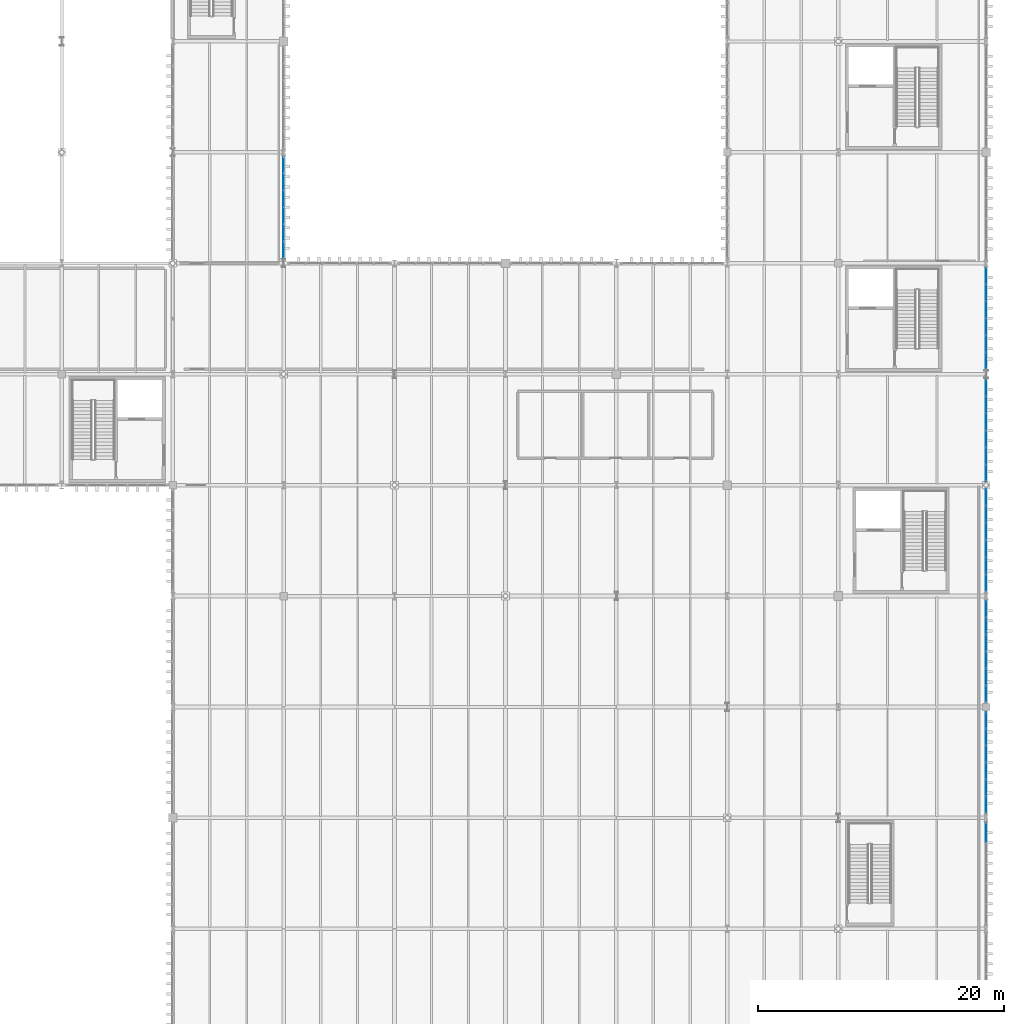
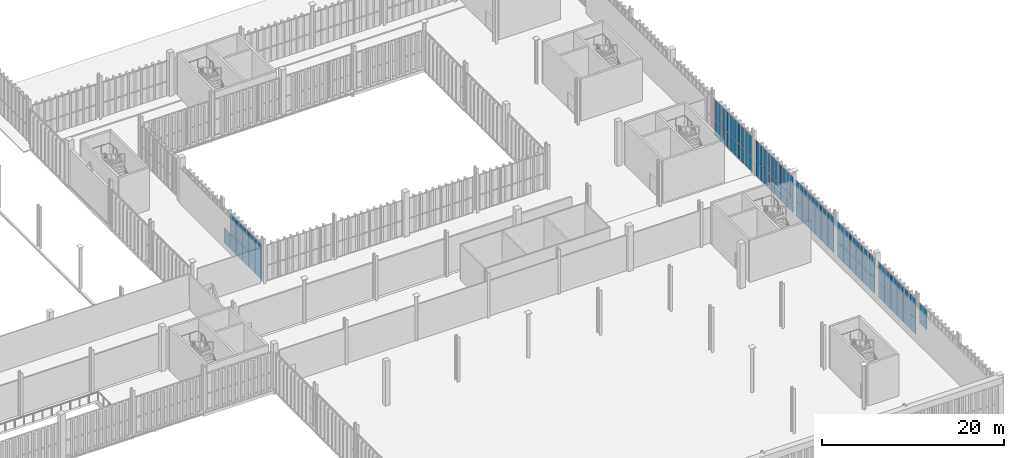
# One storey, part 191 of 237: 72 plates, 7 elements without a shape of their own.
"""IFC4 building model written with IfcOpenShell, lengths in metres."""

from ifc_helpers import new_model, si_unit, direction, frame, origin, origin_2d, place, context, subcontext, project, spatial, rectangle, extrude, material, layer, layer_set, type_object, element, aggregate, save


model = new_model("IFC4")

# Units and contexts
model_context = context("Model", 3, precision=1e-05, world=origin(), true_north=direction((0.0, 1.0)))
body_context = subcontext(model_context, "Body", "Model", "MODEL_VIEW")
ifc_project = project(units=[si_unit("LENGTHUNIT", "METRE"), si_unit("AREAUNIT", "SQUARE_METRE"), si_unit("VOLUMEUNIT", "CUBIC_METRE"), si_unit("PLANEANGLEUNIT", "RADIAN"), si_unit("MASSUNIT", "GRAM", prefix="KILO")], contexts=[model_context])

# Site, building, storey
site_placement = place(None, origin())
site = spatial("IfcSite", under=ifc_project, at=site_placement, CompositionType="ELEMENT")
building_placement = place(site_placement, origin())
building = spatial("IfcBuilding", under=site, at=building_placement, Name="Barlavento Convention Centre", CompositionType="ELEMENT")
storey_placement = place(building_placement, frame((0.0, 0.0, 12.0)))
storey = spatial("IfcBuildingStorey", under=building, at=storey_placement, Name="L02", CompositionType="ELEMENT", Elevation=12.0)

# Curtain wall, plate
ifc_material_1 = material(Name="Powder-coated aluminium and Low-E glass", Category="aluminium")
ifc_layer_1 = layer(ifc_material_1, 0.195068359375)
ifc_layer_set_1 = layer_set([ifc_layer_1], Name="ARC-CW-BALL-L02")
curtain_wall_type_1 = type_object("IfcCurtainWallType", Name="ARC-CW-BALL-L02", PredefinedType="NOTDEFINED", material=ifc_layer_set_1)
curtain_wall_1_placement = place(storey_placement, origin())
curtain_wall_1 = element("IfcCurtainWall", 1, at=curtain_wall_1_placement, inside=storey, type_object=curtain_wall_type_1, Name="L02 unitised curtain wall CW07", PredefinedType="NOTDEFINED")
ifc_material_2 = material(Name="Double-silver Low-E insulated glass", Category="glass")
ifc_layer_2 = layer(ifc_material_2, 0.028076171875)
ifc_layer_set_2 = layer_set([ifc_layer_2], Name="ARC-CWP-GLZ28")
plate_type = type_object("IfcPlateType", Name="ARC-CWP-GLZ28", PredefinedType="CURTAIN_PANEL", material=ifc_layer_set_2)
plate_1_placement = place(storey_placement, frame((192.0, 16.7900390625, 2.1298828125), z_axis=(0.0, 0.0, 1.0), x_axis=(0.0, 1.0, 0.0)))
plate_1 = element("IfcPlate", 2, at=plate_1_placement, type_object=plate_type, Name="CW07 panel 5.2", PredefinedType="CURTAIN_PANEL", context=body_context, shape_type="SweptSolid", body=[
    extrude(rectangle(XDim=1.56005859375, YDim=0.028076171875, at=origin_2d()), origin(), (0.0, 0.0, 1.0), 2.659912109375),
])
aggregate(curtain_wall_1, [plate_1])

# Curtain wall, plates
curtain_wall_2_placement = place(storey_placement, origin())
curtain_wall_2 = element("IfcCurtainWall", 3, at=curtain_wall_2_placement, inside=storey, type_object=curtain_wall_type_1, Name="L02 unitised curtain wall CW07", PredefinedType="NOTDEFINED")
plate_2_placement = place(storey_placement, frame((192.0, 19.0732421875, 0.06005859375), z_axis=(0.0, 0.0, 1.0), x_axis=(0.0, 1.0, 0.0)))
plate_2 = element("IfcPlate", 4, at=plate_2_placement, type_object=plate_type, Name="CW07 panel 1.1", PredefinedType="CURTAIN_PANEL", context=body_context, shape_type="SweptSolid", body=[
    extrude(rectangle(XDim=1.28662109375, YDim=0.028076171875, at=origin_2d()), origin(), (0.0, 0.0, 1.0), 2.010009765625),
])
plate_3_placement = place(storey_placement, frame((192.0, 19.0732421875, 2.1298828125), z_axis=(0.0, 0.0, 1.0), x_axis=(0.0, 1.0, 0.0)))
plate_3 = element("IfcPlate", 5, at=plate_3_placement, type_object=plate_type, Name="CW07 panel 1.2", PredefinedType="CURTAIN_PANEL", context=body_context, shape_type="SweptSolid", body=[
    extrude(rectangle(XDim=1.28662109375, YDim=0.028076171875, at=origin_2d()), origin(), (0.0, 0.0, 1.0), 2.659912109375),
])
plate_4_placement = place(storey_placement, frame((192.0, 20.43505859375, 0.06005859375), z_axis=(0.0, 0.0, 1.0), x_axis=(0.0, 1.0, 0.0)))
plate_4 = element("IfcPlate", 6, at=plate_4_placement, type_object=plate_type, Name="CW07 panel 2.1", PredefinedType="CURTAIN_PANEL", context=body_context, shape_type="SweptSolid", body=[
    extrude(rectangle(XDim=1.316650390625, YDim=0.028076171875, at=origin_2d()), origin(), (0.0, 0.0, 1.0), 2.010009765625),
])
plate_5_placement = place(storey_placement, frame((192.0, 20.43505859375, 2.1298828125), z_axis=(0.0, 0.0, 1.0), x_axis=(0.0, 1.0, 0.0)))
plate_5 = element("IfcPlate", 7, at=plate_5_placement, type_object=plate_type, Name="CW07 panel 2.2", PredefinedType="CURTAIN_PANEL", context=body_context, shape_type="SweptSolid", body=[
    extrude(rectangle(XDim=1.316650390625, YDim=0.028076171875, at=origin_2d()), origin(), (0.0, 0.0, 1.0), 2.659912109375),
])
plate_6_placement = place(storey_placement, frame((192.0, 21.811767578125, 0.06005859375), z_axis=(0.0, 0.0, 1.0), x_axis=(0.0, 1.0, 0.0)))
plate_6 = element("IfcPlate", 8, at=plate_6_placement, type_object=plate_type, Name="CW07 panel 3.1", PredefinedType="CURTAIN_PANEL", context=body_context, shape_type="SweptSolid", body=[
    extrude(rectangle(XDim=1.316650390625, YDim=0.028076171875, at=origin_2d()), origin(), (0.0, 0.0, 1.0), 2.010009765625),
])
plate_7_placement = place(storey_placement, frame((192.0, 21.811767578125, 2.1298828125), z_axis=(0.0, 0.0, 1.0), x_axis=(0.0, 1.0, 0.0)))
plate_7 = element("IfcPlate", 9, at=plate_7_placement, type_object=plate_type, Name="CW07 panel 3.2", PredefinedType="CURTAIN_PANEL", context=body_context, shape_type="SweptSolid", body=[
    extrude(rectangle(XDim=1.316650390625, YDim=0.028076171875, at=origin_2d()), origin(), (0.0, 0.0, 1.0), 2.659912109375),
])
plate_8_placement = place(storey_placement, frame((192.0, 23.188232421875, 0.06005859375), z_axis=(0.0, 0.0, 1.0), x_axis=(0.0, 1.0, 0.0)))
plate_8 = element("IfcPlate", 10, at=plate_8_placement, type_object=plate_type, Name="CW07 panel 4.1", PredefinedType="CURTAIN_PANEL", context=body_context, shape_type="SweptSolid", body=[
    extrude(rectangle(XDim=1.316650390625, YDim=0.028076171875, at=origin_2d()), origin(), (0.0, 0.0, 1.0), 2.010009765625),
])
plate_9_placement = place(storey_placement, frame((192.0, 23.188232421875, 2.1298828125), z_axis=(0.0, 0.0, 1.0), x_axis=(0.0, 1.0, 0.0)))
plate_9 = element("IfcPlate", 11, at=plate_9_placement, type_object=plate_type, Name="CW07 panel 4.2", PredefinedType="CURTAIN_PANEL", context=body_context, shape_type="SweptSolid", body=[
    extrude(rectangle(XDim=1.316650390625, YDim=0.028076171875, at=origin_2d()), origin(), (0.0, 0.0, 1.0), 2.659912109375),
])
plate_10_placement = place(storey_placement, frame((192.0, 24.56494140625, 0.06005859375), z_axis=(0.0, 0.0, 1.0), x_axis=(0.0, 1.0, 0.0)))
plate_10 = element("IfcPlate", 12, at=plate_10_placement, type_object=plate_type, Name="CW07 panel 5.1", PredefinedType="CURTAIN_PANEL", context=body_context, shape_type="SweptSolid", body=[
    extrude(rectangle(XDim=1.316650390625, YDim=0.028076171875, at=origin_2d()), origin(), (0.0, 0.0, 1.0), 2.010009765625),
])
plate_11_placement = place(storey_placement, frame((192.0, 24.56494140625, 2.1298828125), z_axis=(0.0, 0.0, 1.0), x_axis=(0.0, 1.0, 0.0)))
plate_11 = element("IfcPlate", 13, at=plate_11_placement, type_object=plate_type, Name="CW07 panel 5.2", PredefinedType="CURTAIN_PANEL", context=body_context, shape_type="SweptSolid", body=[
    extrude(rectangle(XDim=1.316650390625, YDim=0.028076171875, at=origin_2d()), origin(), (0.0, 0.0, 1.0), 2.659912109375),
])
plate_12_placement = place(storey_placement, frame((192.0, 25.9267578125, 0.06005859375), z_axis=(0.0, 0.0, 1.0), x_axis=(0.0, 1.0, 0.0)))
plate_12 = element("IfcPlate", 14, at=plate_12_placement, type_object=plate_type, Name="CW07 panel 6.1", PredefinedType="CURTAIN_PANEL", context=body_context, shape_type="SweptSolid", body=[
    extrude(rectangle(XDim=1.28662109375, YDim=0.028076171875, at=origin_2d()), origin(), (0.0, 0.0, 1.0), 2.010009765625),
])
plate_13_placement = place(storey_placement, frame((192.0, 25.9267578125, 2.1298828125), z_axis=(0.0, 0.0, 1.0), x_axis=(0.0, 1.0, 0.0)))
plate_13 = element("IfcPlate", 15, at=plate_13_placement, type_object=plate_type, Name="CW07 panel 6.2", PredefinedType="CURTAIN_PANEL", context=body_context, shape_type="SweptSolid", body=[
    extrude(rectangle(XDim=1.28662109375, YDim=0.028076171875, at=origin_2d()), origin(), (0.0, 0.0, 1.0), 2.659912109375),
])
aggregate(curtain_wall_2, [plate_2, plate_3, plate_4, plate_5, plate_6, plate_7, plate_8, plate_9, plate_10, plate_11, plate_12, plate_13])

curtain_wall_3_placement = place(storey_placement, origin())
curtain_wall_3 = element("IfcCurtainWall", 16, at=curtain_wall_3_placement, inside=storey, type_object=curtain_wall_type_1, Name="L02 unitised curtain wall CW07", PredefinedType="NOTDEFINED")
plate_14_placement = place(storey_placement, frame((192.0, 28.074462890625, 0.06005859375), z_axis=(0.0, 0.0, 1.0), x_axis=(0.0, 1.0, 0.0)))
plate_14 = element("IfcPlate", 17, at=plate_14_placement, type_object=plate_type, Name="CW07 panel 1.1", PredefinedType="CURTAIN_PANEL", context=body_context, shape_type="SweptSolid", body=[
    extrude(rectangle(XDim=1.2890625, YDim=0.028076171875, at=origin_2d()), origin(), (0.0, 0.0, 1.0), 2.010009765625),
])
plate_15_placement = place(storey_placement, frame((192.0, 28.074462890625, 2.1298828125), z_axis=(0.0, 0.0, 1.0), x_axis=(0.0, 1.0, 0.0)))
plate_15 = element("IfcPlate", 18, at=plate_15_placement, type_object=plate_type, Name="CW07 panel 1.2", PredefinedType="CURTAIN_PANEL", context=body_context, shape_type="SweptSolid", body=[
    extrude(rectangle(XDim=1.2890625, YDim=0.028076171875, at=origin_2d()), origin(), (0.0, 0.0, 1.0), 2.659912109375),
])
plate_16_placement = place(storey_placement, frame((192.0, 29.4384765625, 0.06005859375), z_axis=(0.0, 0.0, 1.0), x_axis=(0.0, 1.0, 0.0)))
plate_16 = element("IfcPlate", 19, at=plate_16_placement, type_object=plate_type, Name="CW07 panel 2.1", PredefinedType="CURTAIN_PANEL", context=body_context, shape_type="SweptSolid", body=[
    extrude(rectangle(XDim=1.319091796875, YDim=0.028076171875, at=origin_2d()), origin(), (0.0, 0.0, 1.0), 2.010009765625),
])
plate_17_placement = place(storey_placement, frame((192.0, 29.4384765625, 2.1298828125), z_axis=(0.0, 0.0, 1.0), x_axis=(0.0, 1.0, 0.0)))
plate_17 = element("IfcPlate", 20, at=plate_17_placement, type_object=plate_type, Name="CW07 panel 2.2", PredefinedType="CURTAIN_PANEL", context=body_context, shape_type="SweptSolid", body=[
    extrude(rectangle(XDim=1.319091796875, YDim=0.028076171875, at=origin_2d()), origin(), (0.0, 0.0, 1.0), 2.659912109375),
])
plate_18_placement = place(storey_placement, frame((192.0, 30.8173828125, 0.06005859375), z_axis=(0.0, 0.0, 1.0), x_axis=(0.0, 1.0, 0.0)))
plate_18 = element("IfcPlate", 21, at=plate_18_placement, type_object=plate_type, Name="CW07 panel 3.1", PredefinedType="CURTAIN_PANEL", context=body_context, shape_type="SweptSolid", body=[
    extrude(rectangle(XDim=1.319091796875, YDim=0.028076171875, at=origin_2d()), origin(), (0.0, 0.0, 1.0), 2.010009765625),
])
plate_19_placement = place(storey_placement, frame((192.0, 30.8173828125, 2.1298828125), z_axis=(0.0, 0.0, 1.0), x_axis=(0.0, 1.0, 0.0)))
plate_19 = element("IfcPlate", 22, at=plate_19_placement, type_object=plate_type, Name="CW07 panel 3.2", PredefinedType="CURTAIN_PANEL", context=body_context, shape_type="SweptSolid", body=[
    extrude(rectangle(XDim=1.319091796875, YDim=0.028076171875, at=origin_2d()), origin(), (0.0, 0.0, 1.0), 2.659912109375),
])
plate_20_placement = place(storey_placement, frame((192.0, 32.196533203125, 0.06005859375), z_axis=(0.0, 0.0, 1.0), x_axis=(0.0, 1.0, 0.0)))
plate_20 = element("IfcPlate", 23, at=plate_20_placement, type_object=plate_type, Name="CW07 panel 4.1", PredefinedType="CURTAIN_PANEL", context=body_context, shape_type="SweptSolid", body=[
    extrude(rectangle(XDim=1.319091796875, YDim=0.028076171875, at=origin_2d()), origin(), (0.0, 0.0, 1.0), 2.010009765625),
])
plate_21_placement = place(storey_placement, frame((192.0, 32.196533203125, 2.1298828125), z_axis=(0.0, 0.0, 1.0), x_axis=(0.0, 1.0, 0.0)))
plate_21 = element("IfcPlate", 24, at=plate_21_placement, type_object=plate_type, Name="CW07 panel 4.2", PredefinedType="CURTAIN_PANEL", context=body_context, shape_type="SweptSolid", body=[
    extrude(rectangle(XDim=1.319091796875, YDim=0.028076171875, at=origin_2d()), origin(), (0.0, 0.0, 1.0), 2.659912109375),
])
plate_22_placement = place(storey_placement, frame((192.0, 33.575439453125, 0.06005859375), z_axis=(0.0, 0.0, 1.0), x_axis=(0.0, 1.0, 0.0)))
plate_22 = element("IfcPlate", 25, at=plate_22_placement, type_object=plate_type, Name="CW07 panel 5.1", PredefinedType="CURTAIN_PANEL", context=body_context, shape_type="SweptSolid", body=[
    extrude(rectangle(XDim=1.319091796875, YDim=0.028076171875, at=origin_2d()), origin(), (0.0, 0.0, 1.0), 2.010009765625),
])
plate_23_placement = place(storey_placement, frame((192.0, 33.575439453125, 2.1298828125), z_axis=(0.0, 0.0, 1.0), x_axis=(0.0, 1.0, 0.0)))
plate_23 = element("IfcPlate", 26, at=plate_23_placement, type_object=plate_type, Name="CW07 panel 5.2", PredefinedType="CURTAIN_PANEL", context=body_context, shape_type="SweptSolid", body=[
    extrude(rectangle(XDim=1.319091796875, YDim=0.028076171875, at=origin_2d()), origin(), (0.0, 0.0, 1.0), 2.659912109375),
])
plate_24_placement = place(storey_placement, frame((192.0, 34.939453125, 0.06005859375), z_axis=(0.0, 0.0, 1.0), x_axis=(0.0, 1.0, 0.0)))
plate_24 = element("IfcPlate", 27, at=plate_24_placement, type_object=plate_type, Name="CW07 panel 6.1", PredefinedType="CURTAIN_PANEL", context=body_context, shape_type="SweptSolid", body=[
    extrude(rectangle(XDim=1.2890625, YDim=0.028076171875, at=origin_2d()), origin(), (0.0, 0.0, 1.0), 2.010009765625),
])
plate_25_placement = place(storey_placement, frame((192.0, 34.939453125, 2.1298828125), z_axis=(0.0, 0.0, 1.0), x_axis=(0.0, 1.0, 0.0)))
plate_25 = element("IfcPlate", 28, at=plate_25_placement, type_object=plate_type, Name="CW07 panel 6.2", PredefinedType="CURTAIN_PANEL", context=body_context, shape_type="SweptSolid", body=[
    extrude(rectangle(XDim=1.2890625, YDim=0.028076171875, at=origin_2d()), origin(), (0.0, 0.0, 1.0), 2.659912109375),
])
aggregate(curtain_wall_3, [plate_14, plate_15, plate_16, plate_17, plate_18, plate_19, plate_20, plate_21, plate_22, plate_23, plate_24, plate_25])

curtain_wall_4_placement = place(storey_placement, origin())
curtain_wall_4 = element("IfcCurtainWall", 29, at=curtain_wall_4_placement, inside=storey, type_object=curtain_wall_type_1, Name="L02 unitised curtain wall CW07", PredefinedType="NOTDEFINED")
plate_26_placement = place(storey_placement, frame((192.0, 37.068603515625, 0.06005859375), z_axis=(0.0, 0.0, 1.0), x_axis=(0.0, 1.0, 0.0)))
plate_26 = element("IfcPlate", 30, at=plate_26_placement, type_object=plate_type, Name="CW07 panel 1.1", PredefinedType="CURTAIN_PANEL", context=body_context, shape_type="SweptSolid", body=[
    extrude(rectangle(XDim=1.30517578125, YDim=0.028076171875, at=origin_2d()), origin(), (0.0, 0.0, 1.0), 2.010009765625),
])
plate_27_placement = place(storey_placement, frame((192.0, 37.068603515625, 2.1298828125), z_axis=(0.0, 0.0, 1.0), x_axis=(0.0, 1.0, 0.0)))
plate_27 = element("IfcPlate", 31, at=plate_27_placement, type_object=plate_type, Name="CW07 panel 1.2", PredefinedType="CURTAIN_PANEL", context=body_context, shape_type="SweptSolid", body=[
    extrude(rectangle(XDim=1.30517578125, YDim=0.028076171875, at=origin_2d()), origin(), (0.0, 0.0, 1.0), 2.659912109375),
])
plate_28_placement = place(storey_placement, frame((192.0, 38.44873046875, 0.06005859375), z_axis=(0.0, 0.0, 1.0), x_axis=(0.0, 1.0, 0.0)))
plate_28 = element("IfcPlate", 32, at=plate_28_placement, type_object=plate_type, Name="CW07 panel 2.1", PredefinedType="CURTAIN_PANEL", context=body_context, shape_type="SweptSolid", body=[
    extrude(rectangle(XDim=1.335205078125, YDim=0.028076171875, at=origin_2d()), origin(), (0.0, 0.0, 1.0), 2.010009765625),
])
plate_29_placement = place(storey_placement, frame((192.0, 38.44873046875, 2.1298828125), z_axis=(0.0, 0.0, 1.0), x_axis=(0.0, 1.0, 0.0)))
plate_29 = element("IfcPlate", 33, at=plate_29_placement, type_object=plate_type, Name="CW07 panel 2.2", PredefinedType="CURTAIN_PANEL", context=body_context, shape_type="SweptSolid", body=[
    extrude(rectangle(XDim=1.335205078125, YDim=0.028076171875, at=origin_2d()), origin(), (0.0, 0.0, 1.0), 2.659912109375),
])
plate_30_placement = place(storey_placement, frame((192.0, 39.84375, 0.06005859375), z_axis=(0.0, 0.0, 1.0), x_axis=(0.0, 1.0, 0.0)))
plate_30 = element("IfcPlate", 34, at=plate_30_placement, type_object=plate_type, Name="CW07 panel 3.1", PredefinedType="CURTAIN_PANEL", context=body_context, shape_type="SweptSolid", body=[
    extrude(rectangle(XDim=1.335205078125, YDim=0.028076171875, at=origin_2d()), origin(), (0.0, 0.0, 1.0), 2.010009765625),
])
plate_31_placement = place(storey_placement, frame((192.0, 39.84375, 2.1298828125), z_axis=(0.0, 0.0, 1.0), x_axis=(0.0, 1.0, 0.0)))
plate_31 = element("IfcPlate", 35, at=plate_31_placement, type_object=plate_type, Name="CW07 panel 3.2", PredefinedType="CURTAIN_PANEL", context=body_context, shape_type="SweptSolid", body=[
    extrude(rectangle(XDim=1.335205078125, YDim=0.028076171875, at=origin_2d()), origin(), (0.0, 0.0, 1.0), 2.659912109375),
])
plate_32_placement = place(storey_placement, frame((192.0, 41.239013671875, 0.06005859375), z_axis=(0.0, 0.0, 1.0), x_axis=(0.0, 1.0, 0.0)))
plate_32 = element("IfcPlate", 36, at=plate_32_placement, type_object=plate_type, Name="CW07 panel 4.1", PredefinedType="CURTAIN_PANEL", context=body_context, shape_type="SweptSolid", body=[
    extrude(rectangle(XDim=1.335205078125, YDim=0.028076171875, at=origin_2d()), origin(), (0.0, 0.0, 1.0), 2.010009765625),
])
plate_33_placement = place(storey_placement, frame((192.0, 41.239013671875, 2.1298828125), z_axis=(0.0, 0.0, 1.0), x_axis=(0.0, 1.0, 0.0)))
plate_33 = element("IfcPlate", 37, at=plate_33_placement, type_object=plate_type, Name="CW07 panel 4.2", PredefinedType="CURTAIN_PANEL", context=body_context, shape_type="SweptSolid", body=[
    extrude(rectangle(XDim=1.335205078125, YDim=0.028076171875, at=origin_2d()), origin(), (0.0, 0.0, 1.0), 2.659912109375),
])
plate_34_placement = place(storey_placement, frame((192.0, 42.634033203125, 0.06005859375), z_axis=(0.0, 0.0, 1.0), x_axis=(0.0, 1.0, 0.0)))
plate_34 = element("IfcPlate", 38, at=plate_34_placement, type_object=plate_type, Name="CW07 panel 5.1", PredefinedType="CURTAIN_PANEL", context=body_context, shape_type="SweptSolid", body=[
    extrude(rectangle(XDim=1.335205078125, YDim=0.028076171875, at=origin_2d()), origin(), (0.0, 0.0, 1.0), 2.010009765625),
])
plate_35_placement = place(storey_placement, frame((192.0, 42.634033203125, 2.1298828125), z_axis=(0.0, 0.0, 1.0), x_axis=(0.0, 1.0, 0.0)))
plate_35 = element("IfcPlate", 39, at=plate_35_placement, type_object=plate_type, Name="CW07 panel 5.2", PredefinedType="CURTAIN_PANEL", context=body_context, shape_type="SweptSolid", body=[
    extrude(rectangle(XDim=1.335205078125, YDim=0.028076171875, at=origin_2d()), origin(), (0.0, 0.0, 1.0), 2.659912109375),
])
plate_36_placement = place(storey_placement, frame((192.0, 44.01416015625, 0.06005859375), z_axis=(0.0, 0.0, 1.0), x_axis=(0.0, 1.0, 0.0)))
plate_36 = element("IfcPlate", 40, at=plate_36_placement, type_object=plate_type, Name="CW07 panel 6.1", PredefinedType="CURTAIN_PANEL", context=body_context, shape_type="SweptSolid", body=[
    extrude(rectangle(XDim=1.30517578125, YDim=0.028076171875, at=origin_2d()), origin(), (0.0, 0.0, 1.0), 2.010009765625),
])
plate_37_placement = place(storey_placement, frame((192.0, 44.01416015625, 2.1298828125), z_axis=(0.0, 0.0, 1.0), x_axis=(0.0, 1.0, 0.0)))
plate_37 = element("IfcPlate", 41, at=plate_37_placement, type_object=plate_type, Name="CW07 panel 6.2", PredefinedType="CURTAIN_PANEL", context=body_context, shape_type="SweptSolid", body=[
    extrude(rectangle(XDim=1.30517578125, YDim=0.028076171875, at=origin_2d()), origin(), (0.0, 0.0, 1.0), 2.659912109375),
])
aggregate(curtain_wall_4, [plate_26, plate_27, plate_28, plate_29, plate_30, plate_31, plate_32, plate_33, plate_34, plate_35, plate_36, plate_37])

curtain_wall_5_placement = place(storey_placement, origin())
curtain_wall_5 = element("IfcCurtainWall", 42, at=curtain_wall_5_placement, inside=storey, type_object=curtain_wall_type_1, Name="L02 unitised curtain wall CW07", PredefinedType="NOTDEFINED")
plate_38_placement = place(storey_placement, frame((192.0, 45.981689453125, 0.06005859375), z_axis=(0.0, 0.0, 1.0), x_axis=(0.0, 1.0, 0.0)))
plate_38 = element("IfcPlate", 43, at=plate_38_placement, type_object=plate_type, Name="CW07 panel 1.1", PredefinedType="CURTAIN_PANEL", context=body_context, shape_type="SweptSolid", body=[
    extrude(rectangle(XDim=1.297119140625, YDim=0.028076171875, at=origin_2d()), origin(), (0.0, 0.0, 1.0), 2.010009765625),
])
plate_39_placement = place(storey_placement, frame((192.0, 45.981689453125, 2.1298828125), z_axis=(0.0, 0.0, 1.0), x_axis=(0.0, 1.0, 0.0)))
plate_39 = element("IfcPlate", 44, at=plate_39_placement, type_object=plate_type, Name="CW07 panel 1.2", PredefinedType="CURTAIN_PANEL", context=body_context, shape_type="SweptSolid", body=[
    extrude(rectangle(XDim=1.297119140625, YDim=0.028076171875, at=origin_2d()), origin(), (0.0, 0.0, 1.0), 2.659912109375),
])
plate_40_placement = place(storey_placement, frame((192.0, 47.35400390625, 0.06005859375), z_axis=(0.0, 0.0, 1.0), x_axis=(0.0, 1.0, 0.0)))
plate_40 = element("IfcPlate", 45, at=plate_40_placement, type_object=plate_type, Name="CW07 panel 2.1", PredefinedType="CURTAIN_PANEL", context=body_context, shape_type="SweptSolid", body=[
    extrude(rectangle(XDim=1.3271484375, YDim=0.028076171875, at=origin_2d()), origin(), (0.0, 0.0, 1.0), 2.010009765625),
])
plate_41_placement = place(storey_placement, frame((192.0, 47.35400390625, 2.1298828125), z_axis=(0.0, 0.0, 1.0), x_axis=(0.0, 1.0, 0.0)))
plate_41 = element("IfcPlate", 46, at=plate_41_placement, type_object=plate_type, Name="CW07 panel 2.2", PredefinedType="CURTAIN_PANEL", context=body_context, shape_type="SweptSolid", body=[
    extrude(rectangle(XDim=1.3271484375, YDim=0.028076171875, at=origin_2d()), origin(), (0.0, 0.0, 1.0), 2.659912109375),
])
plate_42_placement = place(storey_placement, frame((192.0, 48.740966796875, 0.06005859375), z_axis=(0.0, 0.0, 1.0), x_axis=(0.0, 1.0, 0.0)))
plate_42 = element("IfcPlate", 47, at=plate_42_placement, type_object=plate_type, Name="CW07 panel 3.1", PredefinedType="CURTAIN_PANEL", context=body_context, shape_type="SweptSolid", body=[
    extrude(rectangle(XDim=1.3271484375, YDim=0.028076171875, at=origin_2d()), origin(), (0.0, 0.0, 1.0), 2.010009765625),
])
plate_43_placement = place(storey_placement, frame((192.0, 48.740966796875, 2.1298828125), z_axis=(0.0, 0.0, 1.0), x_axis=(0.0, 1.0, 0.0)))
plate_43 = element("IfcPlate", 48, at=plate_43_placement, type_object=plate_type, Name="CW07 panel 3.2", PredefinedType="CURTAIN_PANEL", context=body_context, shape_type="SweptSolid", body=[
    extrude(rectangle(XDim=1.3271484375, YDim=0.028076171875, at=origin_2d()), origin(), (0.0, 0.0, 1.0), 2.659912109375),
])
plate_44_placement = place(storey_placement, frame((192.0, 50.128173828125, 0.06005859375), z_axis=(0.0, 0.0, 1.0), x_axis=(0.0, 1.0, 0.0)))
plate_44 = element("IfcPlate", 49, at=plate_44_placement, type_object=plate_type, Name="CW07 panel 4.1", PredefinedType="CURTAIN_PANEL", context=body_context, shape_type="SweptSolid", body=[
    extrude(rectangle(XDim=1.3271484375, YDim=0.028076171875, at=origin_2d()), origin(), (0.0, 0.0, 1.0), 2.010009765625),
])
plate_45_placement = place(storey_placement, frame((192.0, 50.128173828125, 2.1298828125), z_axis=(0.0, 0.0, 1.0), x_axis=(0.0, 1.0, 0.0)))
plate_45 = element("IfcPlate", 50, at=plate_45_placement, type_object=plate_type, Name="CW07 panel 4.2", PredefinedType="CURTAIN_PANEL", context=body_context, shape_type="SweptSolid", body=[
    extrude(rectangle(XDim=1.3271484375, YDim=0.028076171875, at=origin_2d()), origin(), (0.0, 0.0, 1.0), 2.659912109375),
])
plate_46_placement = place(storey_placement, frame((192.0, 51.515380859375, 0.06005859375), z_axis=(0.0, 0.0, 1.0), x_axis=(0.0, 1.0, 0.0)))
plate_46 = element("IfcPlate", 51, at=plate_46_placement, type_object=plate_type, Name="CW07 panel 5.1", PredefinedType="CURTAIN_PANEL", context=body_context, shape_type="SweptSolid", body=[
    extrude(rectangle(XDim=1.3271484375, YDim=0.028076171875, at=origin_2d()), origin(), (0.0, 0.0, 1.0), 2.010009765625),
])
plate_47_placement = place(storey_placement, frame((192.0, 51.515380859375, 2.1298828125), z_axis=(0.0, 0.0, 1.0), x_axis=(0.0, 1.0, 0.0)))
plate_47 = element("IfcPlate", 52, at=plate_47_placement, type_object=plate_type, Name="CW07 panel 5.2", PredefinedType="CURTAIN_PANEL", context=body_context, shape_type="SweptSolid", body=[
    extrude(rectangle(XDim=1.3271484375, YDim=0.028076171875, at=origin_2d()), origin(), (0.0, 0.0, 1.0), 2.659912109375),
])
plate_48_placement = place(storey_placement, frame((192.0, 52.887451171875, 0.06005859375), z_axis=(0.0, 0.0, 1.0), x_axis=(0.0, 1.0, 0.0)))
plate_48 = element("IfcPlate", 53, at=plate_48_placement, type_object=plate_type, Name="CW07 panel 6.1", PredefinedType="CURTAIN_PANEL", context=body_context, shape_type="SweptSolid", body=[
    extrude(rectangle(XDim=1.297119140625, YDim=0.028076171875, at=origin_2d()), origin(), (0.0, 0.0, 1.0), 2.010009765625),
])
plate_49_placement = place(storey_placement, frame((192.0, 52.887451171875, 2.1298828125), z_axis=(0.0, 0.0, 1.0), x_axis=(0.0, 1.0, 0.0)))
plate_49 = element("IfcPlate", 54, at=plate_49_placement, type_object=plate_type, Name="CW07 panel 6.2", PredefinedType="CURTAIN_PANEL", context=body_context, shape_type="SweptSolid", body=[
    extrude(rectangle(XDim=1.297119140625, YDim=0.028076171875, at=origin_2d()), origin(), (0.0, 0.0, 1.0), 2.659912109375),
])
aggregate(curtain_wall_5, [plate_38, plate_39, plate_40, plate_41, plate_42, plate_43, plate_44, plate_45, plate_46, plate_47, plate_48, plate_49])

curtain_wall_6_placement = place(storey_placement, origin())
curtain_wall_6 = element("IfcCurtainWall", 55, at=curtain_wall_6_placement, inside=storey, type_object=curtain_wall_type_1, Name="L02 unitised curtain wall CW07", PredefinedType="NOTDEFINED")
plate_50_placement = place(storey_placement, frame((192.0, 55.107666015625, 0.06005859375), z_axis=(0.0, 0.0, 1.0), x_axis=(0.0, 1.0, 0.0)))
plate_50 = element("IfcPlate", 56, at=plate_50_placement, type_object=plate_type, Name="CW07 panel 1.1", PredefinedType="CURTAIN_PANEL", context=body_context, shape_type="SweptSolid", body=[
    extrude(rectangle(XDim=1.287353515625, YDim=0.028076171875, at=origin_2d()), origin(), (0.0, 0.0, 1.0), 2.010009765625),
])
plate_51_placement = place(storey_placement, frame((192.0, 55.107666015625, 2.1298828125), z_axis=(0.0, 0.0, 1.0), x_axis=(0.0, 1.0, 0.0)))
plate_51 = element("IfcPlate", 57, at=plate_51_placement, type_object=plate_type, Name="CW07 panel 1.2", PredefinedType="CURTAIN_PANEL", context=body_context, shape_type="SweptSolid", body=[
    extrude(rectangle(XDim=1.287353515625, YDim=0.028076171875, at=origin_2d()), origin(), (0.0, 0.0, 1.0), 2.659912109375),
])
plate_52_placement = place(storey_placement, frame((192.0, 56.469970703125, 0.06005859375), z_axis=(0.0, 0.0, 1.0), x_axis=(0.0, 1.0, 0.0)))
plate_52 = element("IfcPlate", 58, at=plate_52_placement, type_object=plate_type, Name="CW07 panel 2.1", PredefinedType="CURTAIN_PANEL", context=body_context, shape_type="SweptSolid", body=[
    extrude(rectangle(XDim=1.3173828125, YDim=0.028076171875, at=origin_2d()), origin(), (0.0, 0.0, 1.0), 2.010009765625),
])
plate_53_placement = place(storey_placement, frame((192.0, 56.469970703125, 2.1298828125), z_axis=(0.0, 0.0, 1.0), x_axis=(0.0, 1.0, 0.0)))
plate_53 = element("IfcPlate", 59, at=plate_53_placement, type_object=plate_type, Name="CW07 panel 2.2", PredefinedType="CURTAIN_PANEL", context=body_context, shape_type="SweptSolid", body=[
    extrude(rectangle(XDim=1.3173828125, YDim=0.028076171875, at=origin_2d()), origin(), (0.0, 0.0, 1.0), 2.659912109375),
])
plate_54_placement = place(storey_placement, frame((192.0, 57.847412109375, 0.06005859375), z_axis=(0.0, 0.0, 1.0), x_axis=(0.0, 1.0, 0.0)))
plate_54 = element("IfcPlate", 60, at=plate_54_placement, type_object=plate_type, Name="CW07 panel 3.1", PredefinedType="CURTAIN_PANEL", context=body_context, shape_type="SweptSolid", body=[
    extrude(rectangle(XDim=1.3173828125, YDim=0.028076171875, at=origin_2d()), origin(), (0.0, 0.0, 1.0), 2.010009765625),
])
plate_55_placement = place(storey_placement, frame((192.0, 57.847412109375, 2.1298828125), z_axis=(0.0, 0.0, 1.0), x_axis=(0.0, 1.0, 0.0)))
plate_55 = element("IfcPlate", 61, at=plate_55_placement, type_object=plate_type, Name="CW07 panel 3.2", PredefinedType="CURTAIN_PANEL", context=body_context, shape_type="SweptSolid", body=[
    extrude(rectangle(XDim=1.3173828125, YDim=0.028076171875, at=origin_2d()), origin(), (0.0, 0.0, 1.0), 2.659912109375),
])
plate_56_placement = place(storey_placement, frame((192.0, 59.224609375, 0.06005859375), z_axis=(0.0, 0.0, 1.0), x_axis=(0.0, 1.0, 0.0)))
plate_56 = element("IfcPlate", 62, at=plate_56_placement, type_object=plate_type, Name="CW07 panel 4.1", PredefinedType="CURTAIN_PANEL", context=body_context, shape_type="SweptSolid", body=[
    extrude(rectangle(XDim=1.3173828125, YDim=0.028076171875, at=origin_2d()), origin(), (0.0, 0.0, 1.0), 2.010009765625),
])
plate_57_placement = place(storey_placement, frame((192.0, 59.224609375, 2.1298828125), z_axis=(0.0, 0.0, 1.0), x_axis=(0.0, 1.0, 0.0)))
plate_57 = element("IfcPlate", 63, at=plate_57_placement, type_object=plate_type, Name="CW07 panel 4.2", PredefinedType="CURTAIN_PANEL", context=body_context, shape_type="SweptSolid", body=[
    extrude(rectangle(XDim=1.3173828125, YDim=0.028076171875, at=origin_2d()), origin(), (0.0, 0.0, 1.0), 2.659912109375),
])
plate_58_placement = place(storey_placement, frame((192.0, 60.60205078125, 0.06005859375), z_axis=(0.0, 0.0, 1.0), x_axis=(0.0, 1.0, 0.0)))
plate_58 = element("IfcPlate", 64, at=plate_58_placement, type_object=plate_type, Name="CW07 panel 5.1", PredefinedType="CURTAIN_PANEL", context=body_context, shape_type="SweptSolid", body=[
    extrude(rectangle(XDim=1.3173828125, YDim=0.028076171875, at=origin_2d()), origin(), (0.0, 0.0, 1.0), 2.010009765625),
])
plate_59_placement = place(storey_placement, frame((192.0, 60.60205078125, 2.1298828125), z_axis=(0.0, 0.0, 1.0), x_axis=(0.0, 1.0, 0.0)))
plate_59 = element("IfcPlate", 65, at=plate_59_placement, type_object=plate_type, Name="CW07 panel 5.2", PredefinedType="CURTAIN_PANEL", context=body_context, shape_type="SweptSolid", body=[
    extrude(rectangle(XDim=1.3173828125, YDim=0.028076171875, at=origin_2d()), origin(), (0.0, 0.0, 1.0), 2.659912109375),
])
plate_60_placement = place(storey_placement, frame((192.0, 61.96435546875, 0.06005859375), z_axis=(0.0, 0.0, 1.0), x_axis=(0.0, 1.0, 0.0)))
plate_60 = element("IfcPlate", 66, at=plate_60_placement, type_object=plate_type, Name="CW07 panel 6.1", PredefinedType="CURTAIN_PANEL", context=body_context, shape_type="SweptSolid", body=[
    extrude(rectangle(XDim=1.287353515625, YDim=0.028076171875, at=origin_2d()), origin(), (0.0, 0.0, 1.0), 2.010009765625),
])
plate_61_placement = place(storey_placement, frame((192.0, 61.96435546875, 2.1298828125), z_axis=(0.0, 0.0, 1.0), x_axis=(0.0, 1.0, 0.0)))
plate_61 = element("IfcPlate", 67, at=plate_61_placement, type_object=plate_type, Name="CW07 panel 6.2", PredefinedType="CURTAIN_PANEL", context=body_context, shape_type="SweptSolid", body=[
    extrude(rectangle(XDim=1.287353515625, YDim=0.028076171875, at=origin_2d()), origin(), (0.0, 0.0, 1.0), 2.659912109375),
])
aggregate(curtain_wall_6, [plate_50, plate_51, plate_52, plate_53, plate_54, plate_55, plate_56, plate_57, plate_58, plate_59, plate_60, plate_61])

ifc_layer_3 = layer(ifc_material_1, 0.195068359375)
ifc_layer_set_3 = layer_set([ifc_layer_3], Name="ARC-CW-PATIO-A")
curtain_wall_type_2 = type_object("IfcCurtainWallType", Name="ARC-CW-PATIO-A", PredefinedType="NOTDEFINED", material=ifc_layer_set_3)
curtain_wall_7_placement = place(storey_placement, origin())
curtain_wall_7 = element("IfcCurtainWall", 68, at=curtain_wall_7_placement, inside=storey, type_object=curtain_wall_type_2, Name="L02 unitised curtain wall CW11", PredefinedType="NOTDEFINED")
plate_62_placement = place(storey_placement, frame((135.0, 64.099365234375, 0.06005859375), z_axis=(0.0, 0.0, 1.0), x_axis=(0.0, 1.0, 0.0)))
plate_62 = element("IfcPlate", 69, at=plate_62_placement, type_object=plate_type, Name="CW11 panel 1.1", PredefinedType="CURTAIN_PANEL", context=body_context, shape_type="SweptSolid", body=[
    extrude(rectangle(XDim=1.290771484375, YDim=0.028076171875, at=origin_2d()), origin(), (0.0, 0.0, 1.0), 2.010009765625),
])
plate_63_placement = place(storey_placement, frame((135.0, 64.099365234375, 2.1298828125), z_axis=(0.0, 0.0, 1.0), x_axis=(0.0, 1.0, 0.0)))
plate_63 = element("IfcPlate", 70, at=plate_63_placement, type_object=plate_type, Name="CW11 panel 1.2", PredefinedType="CURTAIN_PANEL", context=body_context, shape_type="SweptSolid", body=[
    extrude(rectangle(XDim=1.290771484375, YDim=0.028076171875, at=origin_2d()), origin(), (0.0, 0.0, 1.0), 2.659912109375),
])
plate_64_placement = place(storey_placement, frame((135.0, 65.465087890625, 0.06005859375), z_axis=(0.0, 0.0, 1.0), x_axis=(0.0, 1.0, 0.0)))
plate_64 = element("IfcPlate", 71, at=plate_64_placement, type_object=plate_type, Name="CW11 panel 2.1", PredefinedType="CURTAIN_PANEL", context=body_context, shape_type="SweptSolid", body=[
    extrude(rectangle(XDim=1.320556640625, YDim=0.028076171875, at=origin_2d()), origin(), (0.0, 0.0, 1.0), 2.010009765625),
])
plate_65_placement = place(storey_placement, frame((135.0, 65.465087890625, 2.1298828125), z_axis=(0.0, 0.0, 1.0), x_axis=(0.0, 1.0, 0.0)))
plate_65 = element("IfcPlate", 72, at=plate_65_placement, type_object=plate_type, Name="CW11 panel 2.2", PredefinedType="CURTAIN_PANEL", context=body_context, shape_type="SweptSolid", body=[
    extrude(rectangle(XDim=1.320556640625, YDim=0.028076171875, at=origin_2d()), origin(), (0.0, 0.0, 1.0), 2.659912109375),
])
plate_66_placement = place(storey_placement, frame((135.0, 66.845703125, 0.06005859375), z_axis=(0.0, 0.0, 1.0), x_axis=(0.0, 1.0, 0.0)))
plate_66 = element("IfcPlate", 73, at=plate_66_placement, type_object=plate_type, Name="CW11 panel 3.1", PredefinedType="CURTAIN_PANEL", context=body_context, shape_type="SweptSolid", body=[
    extrude(rectangle(XDim=1.320556640625, YDim=0.028076171875, at=origin_2d()), origin(), (0.0, 0.0, 1.0), 2.010009765625),
])
plate_67_placement = place(storey_placement, frame((135.0, 66.845703125, 2.1298828125), z_axis=(0.0, 0.0, 1.0), x_axis=(0.0, 1.0, 0.0)))
plate_67 = element("IfcPlate", 74, at=plate_67_placement, type_object=plate_type, Name="CW11 panel 3.2", PredefinedType="CURTAIN_PANEL", context=body_context, shape_type="SweptSolid", body=[
    extrude(rectangle(XDim=1.320556640625, YDim=0.028076171875, at=origin_2d()), origin(), (0.0, 0.0, 1.0), 2.659912109375),
])
plate_68_placement = place(storey_placement, frame((135.0, 68.226318359375, 0.06005859375), z_axis=(0.0, 0.0, 1.0), x_axis=(0.0, 1.0, 0.0)))
plate_68 = element("IfcPlate", 75, at=plate_68_placement, type_object=plate_type, Name="CW11 panel 4.1", PredefinedType="CURTAIN_PANEL", context=body_context, shape_type="SweptSolid", body=[
    extrude(rectangle(XDim=1.320556640625, YDim=0.028076171875, at=origin_2d()), origin(), (0.0, 0.0, 1.0), 2.010009765625),
])
plate_69_placement = place(storey_placement, frame((135.0, 68.226318359375, 2.1298828125), z_axis=(0.0, 0.0, 1.0), x_axis=(0.0, 1.0, 0.0)))
plate_69 = element("IfcPlate", 76, at=plate_69_placement, type_object=plate_type, Name="CW11 panel 4.2", PredefinedType="CURTAIN_PANEL", context=body_context, shape_type="SweptSolid", body=[
    extrude(rectangle(XDim=1.320556640625, YDim=0.028076171875, at=origin_2d()), origin(), (0.0, 0.0, 1.0), 2.659912109375),
])
plate_70_placement = place(storey_placement, frame((135.0, 69.60693359375, 0.06005859375), z_axis=(0.0, 0.0, 1.0), x_axis=(0.0, 1.0, 0.0)))
plate_70 = element("IfcPlate", 77, at=plate_70_placement, type_object=plate_type, Name="CW11 panel 5.1", PredefinedType="CURTAIN_PANEL", context=body_context, shape_type="SweptSolid", body=[
    extrude(rectangle(XDim=1.320556640625, YDim=0.028076171875, at=origin_2d()), origin(), (0.0, 0.0, 1.0), 2.010009765625),
])
plate_71_placement = place(storey_placement, frame((135.0, 69.60693359375, 2.1298828125), z_axis=(0.0, 0.0, 1.0), x_axis=(0.0, 1.0, 0.0)))
plate_71 = element("IfcPlate", 78, at=plate_71_placement, type_object=plate_type, Name="CW11 panel 5.2", PredefinedType="CURTAIN_PANEL", context=body_context, shape_type="SweptSolid", body=[
    extrude(rectangle(XDim=1.320556640625, YDim=0.028076171875, at=origin_2d()), origin(), (0.0, 0.0, 1.0), 2.659912109375),
])
plate_72_placement = place(storey_placement, frame((135.0, 70.97265625, 0.06005859375), z_axis=(0.0, 0.0, 1.0), x_axis=(0.0, 1.0, 0.0)))
plate_72 = element("IfcPlate", 79, at=plate_72_placement, type_object=plate_type, Name="CW11 panel 6.1", PredefinedType="CURTAIN_PANEL", context=body_context, shape_type="SweptSolid", body=[
    extrude(rectangle(XDim=1.290771484375, YDim=0.028076171875, at=origin_2d()), origin(), (0.0, 0.0, 1.0), 2.010009765625),
])
aggregate(curtain_wall_7, [plate_62, plate_63, plate_64, plate_65, plate_66, plate_67, plate_68, plate_69, plate_70, plate_71, plate_72])

save(model, "model.ifc")
